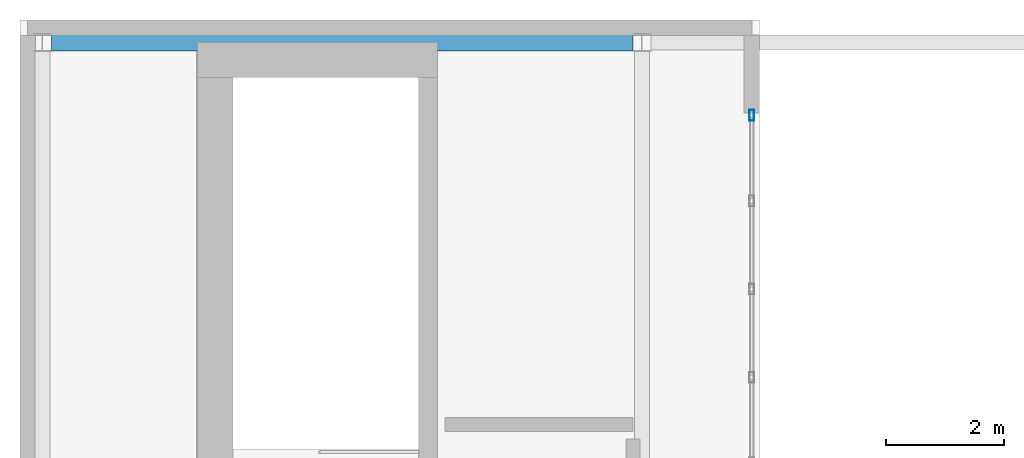
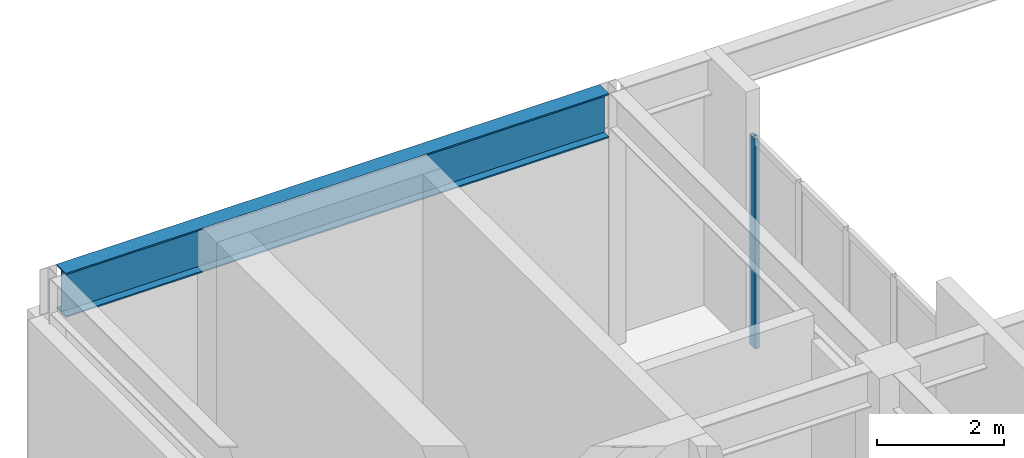
# One storey, part 5 of 9: 1 beam, 1 member, 1 element without a shape of its own.
"""IFC4 building model written with IfcOpenShell, lengths in metres."""

from ifc_helpers import new_model, si_unit, direction, frame, origin, origin_2d, place, context, subcontext, project, spatial, hollow_rectangle, i_section, extrude, material, layer, layer_set, material_profile, profile_set, type_object, element, aggregate, save


model = new_model("IFC4")

# Units and contexts
model_context = context("Model", 3, precision=1e-05, world=origin(), true_north=direction((0.0, 1.0)))
body_context = subcontext(model_context, "Body", "Model", "MODEL_VIEW")
ifc_project = project(units=[si_unit("LENGTHUNIT", "METRE"), si_unit("AREAUNIT", "SQUARE_METRE"), si_unit("VOLUMEUNIT", "CUBIC_METRE"), si_unit("PLANEANGLEUNIT", "RADIAN"), si_unit("MASSUNIT", "GRAM", prefix="KILO")], contexts=[model_context])

# Site, building, storey
site_placement = place(None, origin())
site = spatial("IfcSite", under=ifc_project, at=site_placement, CompositionType="ELEMENT")
building_placement = place(site_placement, origin())
building = spatial("IfcBuilding", under=site, at=building_placement, Name="Solanera Arch Residences", CompositionType="ELEMENT")
storey_placement = place(building_placement, frame((0.0, 0.0, 297.679931640625)))
storey = spatial("IfcBuildingStorey", under=building, at=storey_placement, Name="L84", CompositionType="ELEMENT", Elevation=297.679931640625)

# Curtain wall, member
ifc_material_1 = material(Name="Anodised Aluminium Alloy 6063-T6", Category="aluminium")
ifc_layer = layer(ifc_material_1, 0.179931640625)
ifc_layer_set = layer_set([ifc_layer], Name="Anodised Aluminium Alloy 6063-T6")
curtain_wall_type = type_object("IfcCurtainWallType", Name="CW-6 Split-Top Crown Lantern Curtain Wall", PredefinedType="USERDEFINED", material=ifc_layer_set)
curtain_wall_placement = place(storey_placement, origin())
curtain_wall = element("IfcCurtainWall", 1, at=curtain_wall_placement, inside=storey, type_object=curtain_wall_type, Name="L84 W Crown Cleft Lantern Curtain Wall", ObjectType="CURTAIN_WALL", PredefinedType="USERDEFINED")
ifc_material_2 = material(Name="Anodised Aluminium Alloy 6063-T6", Category="aluminium")
ifc_material_profile_1 = material_profile(ifc_material_2, hollow_rectangle(XDim=0.080078125, YDim=0.179931640625, WallThickness=0.00390625, at=origin_2d()))
ifc_profile_set_1 = profile_set([ifc_material_profile_1], Name="Anodised Aluminium Alloy 6063-T6")
member_type = type_object("IfcMemberType", Name="Curtain Wall Mullion ALU-MUL-80X180", PredefinedType="MULLION", material=ifc_profile_set_1)
member_placement = place(storey_placement, frame((22.669921875, 38.159912109375, 0.0), z_axis=(0.0, 0.0, 1.0), x_axis=(-1.0, 0.0, 0.0)))
member = element("IfcMember", 2, at=member_placement, type_object=member_type, Name="CW-6 mullion 5", PredefinedType="MULLION", context=body_context, shape_type="SweptSolid", body=[
    extrude(hollow_rectangle(XDim=0.080078125, YDim=0.179931640625, WallThickness=0.00390625, at=origin_2d()), origin(), (0.0, 0.0, 1.0), 4.0400390625),
])
aggregate(curtain_wall, [member])

# Beam
ifc_material_3 = material(Name="Steel S355 (ASTM A992 / A572 Grade 50)", Category="steel")
ifc_material_profile_2 = material_profile(ifc_material_3, i_section(OverallWidth=0.2939453125, OverallDepth=0.85107421875, WebThickness=0.01611328125, FlangeThickness=0.02685546875, at=origin_2d()))
ifc_profile_set_2 = profile_set([ifc_material_profile_2], Name="Steel S355 (ASTM A992 / A572 Grade 50)")
beam_type = type_object("IfcBeamType", Name="Primary Beam W840X226", PredefinedType="BEAM", material=ifc_profile_set_2)
beam_placement = place(storey_placement, frame((10.751953125, 39.39990234375, 4.47412109375), z_axis=(1.0, 0.0, 0.0), x_axis=(0.0, 1.0, 0.0)))
element("IfcBeam", 3, at=beam_placement, inside=storey, type_object=beam_type, Name="BM-L84-CR-WN", PredefinedType="BEAM", context=body_context, shape_type="SweptSolid", body=[
    extrude(i_section(OverallWidth=0.2939453125, OverallDepth=0.85107421875, WebThickness=0.01611328125, FlangeThickness=0.02685546875, at=origin_2d()), origin(), (0.0, 0.0, 1.0), 9.89599609375),
])

save(model, "model.ifc")
